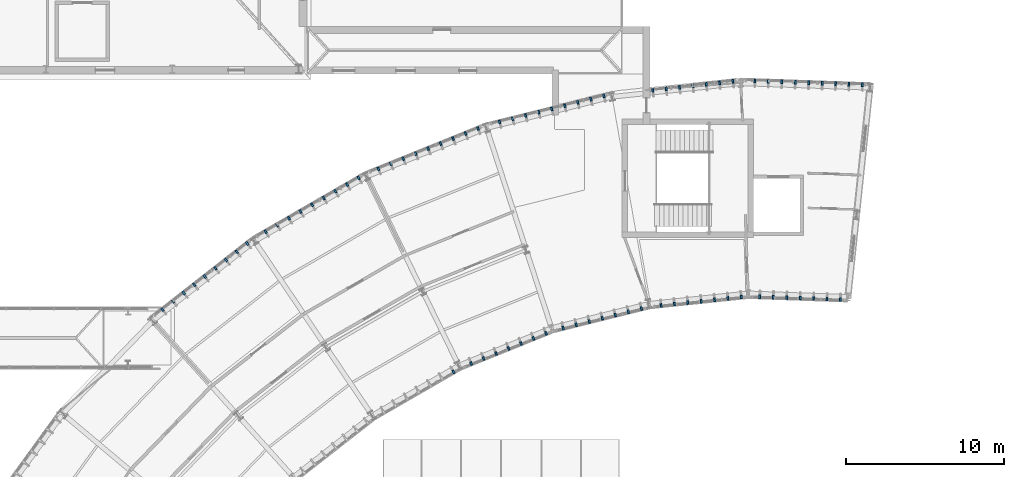
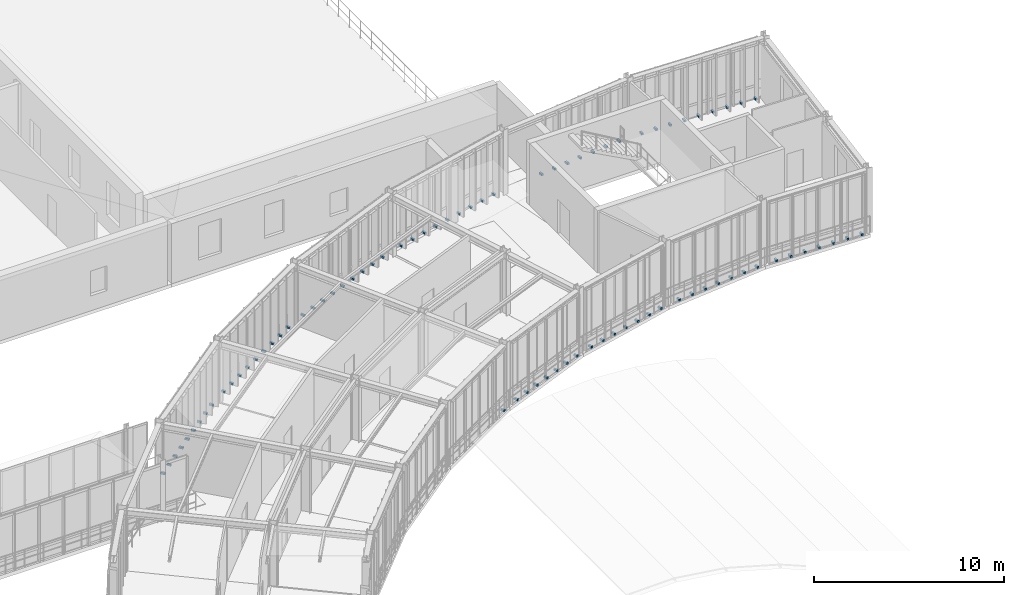
# One storey, part 48 of 57: 81 discrete accessories.
"""IFC4 building model written with IfcOpenShell, lengths in metres."""

from ifc_helpers import new_model, si_unit, direction, frame, origin, origin_2d, place, context, subcontext, project, spatial, rectangle, extrude, material, type_object, element, save


model = new_model("IFC4")

# Units and contexts
model_context = context("Model", 3, precision=1e-05, world=origin(), true_north=direction((0.0, 1.0)))
body_context = subcontext(model_context, "Body", "Model", "MODEL_VIEW")
ifc_project = project(units=[si_unit("LENGTHUNIT", "METRE"), si_unit("AREAUNIT", "SQUARE_METRE"), si_unit("VOLUMEUNIT", "CUBIC_METRE"), si_unit("PLANEANGLEUNIT", "RADIAN"), si_unit("MASSUNIT", "GRAM", prefix="KILO"), si_unit("THERMODYNAMICTEMPERATUREUNIT", "KELVIN"), si_unit("POWERUNIT", "WATT")], contexts=[model_context])

# Site, building, storey
site_placement = place(None, origin())
site = spatial("IfcSite", under=ifc_project, at=site_placement, CompositionType="ELEMENT")
building_placement = place(site_placement, origin())
building = spatial("IfcBuilding", under=site, at=building_placement, Name="Solvatero Civic Police Headquarters", CompositionType="ELEMENT")
storey_placement = place(building_placement, frame((0.0, 0.0, 9.300048828125)))
storey = spatial("IfcBuildingStorey", under=building, at=storey_placement, Name="L02", CompositionType="ELEMENT", Elevation=9.300048828125)

# Discrete accessories
ifc_material = material(Name="Steel S355", Category="steel")
discrete_accessory_type = type_object("IfcDiscreteAccessoryType", Name="ACC-BRK-FIN", PredefinedType="BRACKET", material=ifc_material)
for number, where, z_axis, x_axis, name in (
    (1, (99.647216796875, 84.525146484375, 0.0), (0.0, 0.0, 1.0), (-0.999390827019, 0.034899496703, 0.0), "Slab-Edge Fin Bracket 0367"),
    (2, (98.797607421875, 84.5546875, 0.0), (0.0, 0.0, 1.0), (-0.999390827019, 0.034899496703, 0.0), "Slab-Edge Fin Bracket 0368"),
    (3, (97.9482421875, 84.58447265625, 0.0), (0.0, 0.0, 1.0), (-0.999390827019, 0.034899496703, 0.0), "Slab-Edge Fin Bracket 0369"),
    (4, (97.0986328125, 84.614013671875, 0.0), (0.0, 0.0, 1.0), (-0.999390827019, 0.034899496703, 0.0), "Slab-Edge Fin Bracket 0370"),
    (5, (96.249267578125, 84.643798828125, 0.0), (0.0, 0.0, 1.0), (-0.999390827019, 0.034899496703, 0.0), "Slab-Edge Fin Bracket 0371"),
    (6, (95.39990234375, 84.67333984375, 0.0), (0.0, 0.0, 1.0), (-0.999390827019, 0.034899496703, 0.0), "Slab-Edge Fin Bracket 0372"),
    (7, (94.55029296875, 84.703125, 0.0), (0.0, 0.0, 1.0), (-0.999390827019, 0.034899496703, 0.0), "Slab-Edge Fin Bracket 0373"),
    (8, (93.70068359375, 84.73291015625, 0.0), (0.0, 0.0, 1.0), (-0.999390827019, 0.034899496703, 0.0), "Slab-Edge Fin Bracket 0374"),
    (9, (92.851318359375, 84.762451171875, 0.0), (0.0, 0.0, 1.0), (-0.999390827019, 0.034899496703, 0.0), "Slab-Edge Fin Bracket 0375"),
    (10, (98.255615234375, 70.93896484375, 0.0), (0.0, 0.0, 1.0), (-0.999390827019, 0.034899496703, 0.0), "Slab-Edge Fin Bracket 0376"),
    (11, (97.406005859375, 70.968505859375, 0.0), (0.0, 0.0, 1.0), (-0.999390827019, 0.034899496703, 0.0), "Slab-Edge Fin Bracket 0377"),
    (12, (96.556396484375, 70.998291015625, 0.0), (0.0, 0.0, 1.0), (-0.999390827019, 0.034899496703, 0.0), "Slab-Edge Fin Bracket 0378"),
    (13, (95.70703125, 71.02783203125, 0.0), (0.0, 0.0, 1.0), (-0.999390827019, 0.034899496703, 0.0), "Slab-Edge Fin Bracket 0379"),
    (14, (94.857421875, 71.0576171875, 0.0), (0.0, 0.0, 1.0), (-0.999390827019, 0.034899496703, 0.0), "Slab-Edge Fin Bracket 0380"),
    (15, (94.008056640625, 71.08740234375, 0.0), (0.0, 0.0, 1.0), (-0.999390827019, 0.034899496703, 0.0), "Slab-Edge Fin Bracket 0381"),
    (16, (93.15869140625, 71.116943359375, 0.0), (0.0, 0.0, 1.0), (-0.999390827019, 0.034899496703, 0.0), "Slab-Edge Fin Bracket 0382"),
    (17, (91.456787109375, 84.738037109375, 0.0), (0.0, 0.0, 1.0), (-0.993565927008, -0.113255236913, 0.0), "Slab-Edge Fin Bracket 0383"),
    (18, (90.6123046875, 84.641845703125, 0.0), (0.0, 0.0, 1.0), (-0.993565927008, -0.113255236913, 0.0), "Slab-Edge Fin Bracket 0384"),
    (19, (89.767822265625, 84.54541015625, 0.0), (0.0, 0.0, 1.0), (-0.993565927008, -0.113255236913, 0.0), "Slab-Edge Fin Bracket 0385"),
    (20, (88.92333984375, 84.44921875, 0.0), (0.0, 0.0, 1.0), (-0.993565927008, -0.113255236913, 0.0), "Slab-Edge Fin Bracket 0386"),
    (21, (88.07861328125, 84.352783203125, 0.0), (0.0, 0.0, 1.0), (-0.993565927008, -0.113255236913, 0.0), "Slab-Edge Fin Bracket 0387"),
    (22, (87.234130859375, 84.256591796875, 0.0), (0.0, 0.0, 1.0), (-0.993565927008, -0.113255236913, 0.0), "Slab-Edge Fin Bracket 0388"),
    (23, (86.3896484375, 84.160400390625, 0.0), (0.0, 0.0, 1.0), (-0.993565927008, -0.113255236913, 0.0), "Slab-Edge Fin Bracket 0389"),
    (24, (91.982666015625, 71.09619140625, 0.0), (0.0, 0.0, 1.0), (-0.994521895368, -0.104528463268, 0.0), "Slab-Edge Fin Bracket 0390"),
    (25, (91.13720703125, 71.00732421875, 0.0), (0.0, 0.0, 1.0), (-0.994521895368, -0.104528463268, 0.0), "Slab-Edge Fin Bracket 0391"),
    (26, (90.2919921875, 70.91845703125, 0.0), (0.0, 0.0, 1.0), (-0.994521895368, -0.104528463268, 0.0), "Slab-Edge Fin Bracket 0392"),
    (27, (89.446533203125, 70.82958984375, 0.0), (0.0, 0.0, 1.0), (-0.994521895368, -0.104528463268, 0.0), "Slab-Edge Fin Bracket 0393"),
    (28, (88.601318359375, 70.74072265625, 0.0), (0.0, 0.0, 1.0), (-0.994521895368, -0.104528463268, 0.0), "Slab-Edge Fin Bracket 0394"),
    (29, (87.755859375, 70.652099609375, 0.0), (0.0, 0.0, 1.0), (-0.994521895368, -0.104528463268, 0.0), "Slab-Edge Fin Bracket 0395"),
    (30, (86.910400390625, 70.56298828125, 0.0), (0.0, 0.0, 1.0), (-0.994521895368, -0.104528463268, 0.0), "Slab-Edge Fin Bracket 0396"),
    (31, (83.296630859375, 83.814453125, 0.0), (0.0, 0.0, 1.0), (-0.970295726276, -0.2419218956, 0.0), "Slab-Edge Fin Bracket 0397"),
    (32, (82.471923828125, 83.60888671875, 0.0), (0.0, 0.0, 1.0), (-0.970295726276, -0.2419218956, 0.0), "Slab-Edge Fin Bracket 0398"),
    (33, (81.647216796875, 83.4033203125, 0.0), (0.0, 0.0, 1.0), (-0.970295726276, -0.2419218956, 0.0), "Slab-Edge Fin Bracket 0399"),
    (34, (80.822509765625, 83.197509765625, 0.0), (0.0, 0.0, 1.0), (-0.970295726276, -0.2419218956, 0.0), "Slab-Edge Fin Bracket 0400"),
    (35, (79.99755859375, 82.991943359375, 0.0), (0.0, 0.0, 1.0), (-0.970295726276, -0.2419218956, 0.0), "Slab-Edge Fin Bracket 0401"),
    (36, (79.1728515625, 82.786376953125, 0.0), (0.0, 0.0, 1.0), (-0.970295726276, -0.2419218956, 0.0), "Slab-Edge Fin Bracket 0402"),
    (37, (78.34814453125, 82.580810546875, 0.0), (0.0, 0.0, 1.0), (-0.970295726276, -0.2419218956, 0.0), "Slab-Edge Fin Bracket 0403"),
    (38, (77.5234375, 82.375, 0.0), (0.0, 0.0, 1.0), (-0.970295726276, -0.2419218956, 0.0), "Slab-Edge Fin Bracket 0404"),
    (39, (76.698486328125, 82.16943359375, 0.0), (0.0, 0.0, 1.0), (-0.970295726276, -0.2419218956, 0.0), "Slab-Edge Fin Bracket 0405"),
    (40, (85.668701171875, 70.3623046875, 0.0), (0.0, 0.0, 1.0), (-0.970295726276, -0.2419218956, 0.0), "Slab-Edge Fin Bracket 0406"),
    (41, (84.843994140625, 70.15673828125, 0.0), (0.0, 0.0, 1.0), (-0.970295726276, -0.2419218956, 0.0), "Slab-Edge Fin Bracket 0407"),
    (42, (84.019287109375, 69.951171875, 0.0), (0.0, 0.0, 1.0), (-0.970295726276, -0.2419218956, 0.0), "Slab-Edge Fin Bracket 0408"),
    (43, (83.194580078125, 69.745361328125, 0.0), (0.0, 0.0, 1.0), (-0.970295726276, -0.2419218956, 0.0), "Slab-Edge Fin Bracket 0409"),
    (44, (82.369873046875, 69.539794921875, 0.0), (0.0, 0.0, 1.0), (-0.970295726276, -0.2419218956, 0.0), "Slab-Edge Fin Bracket 0410"),
    (45, (81.545166015625, 69.334228515625, 0.0), (0.0, 0.0, 1.0), (-0.970295726276, -0.2419218956, 0.0), "Slab-Edge Fin Bracket 0411"),
    (46, (80.72021484375, 69.128662109375, 0.0), (0.0, 0.0, 1.0), (-0.970295726276, -0.2419218956, 0.0), "Slab-Edge Fin Bracket 0412"),
    (47, (75.33154296875, 81.7529296875, 0.0), (0.0, 0.0, 1.0), (-0.927183854567, -0.374606593416, 0.0), "Slab-Edge Fin Bracket 0413"),
    (48, (74.54345703125, 81.4345703125, 0.0), (0.0, 0.0, 1.0), (-0.927183854567, -0.374606593416, 0.0), "Slab-Edge Fin Bracket 0414"),
    (49, (73.75537109375, 81.1162109375, 0.0), (0.0, 0.0, 1.0), (-0.927183854567, -0.374606593416, 0.0), "Slab-Edge Fin Bracket 0415"),
    (50, (72.96728515625, 80.797607421875, 0.0), (0.0, 0.0, 1.0), (-0.927183854567, -0.374606593416, 0.0), "Slab-Edge Fin Bracket 0416"),
    (51, (72.17919921875, 80.479248046875, 0.0), (0.0, 0.0, 1.0), (-0.927183854567, -0.374606593416, 0.0), "Slab-Edge Fin Bracket 0417"),
    (52, (71.39111328125, 80.160888671875, 0.0), (0.0, 0.0, 1.0), (-0.927183854567, -0.374606593416, 0.0), "Slab-Edge Fin Bracket 0418"),
    (53, (70.602783203125, 79.84228515625, 0.0), (0.0, 0.0, 1.0), (-0.927183854567, -0.374606593416, 0.0), "Slab-Edge Fin Bracket 0419"),
    (54, (69.814697265625, 79.52392578125, 0.0), (0.0, 0.0, 1.0), (-0.927183854567, -0.374606593416, 0.0), "Slab-Edge Fin Bracket 0420"),
    (55, (69.026611328125, 79.20556640625, 0.0), (0.0, 0.0, 1.0), (-0.927183854567, -0.374606593416, 0.0), "Slab-Edge Fin Bracket 0421"),
    (56, (79.630615234375, 68.793212890625, 0.0), (0.0, 0.0, 1.0), (-0.927183854567, -0.374606593416, 0.0), "Slab-Edge Fin Bracket 0422"),
    (57, (78.84228515625, 68.474853515625, 0.0), (0.0, 0.0, 1.0), (-0.927183854567, -0.374606593416, 0.0), "Slab-Edge Fin Bracket 0423"),
    (58, (78.05419921875, 68.156494140625, 0.0), (0.0, 0.0, 1.0), (-0.927183854567, -0.374606593416, 0.0), "Slab-Edge Fin Bracket 0424"),
    (59, (77.26611328125, 67.837890625, 0.0), (0.0, 0.0, 1.0), (-0.927183854567, -0.374606593416, 0.0), "Slab-Edge Fin Bracket 0425"),
    (60, (76.47802734375, 67.51953125, 0.0), (0.0, 0.0, 1.0), (-0.927183854567, -0.374606593416, 0.0), "Slab-Edge Fin Bracket 0426"),
    (61, (75.68994140625, 67.201171875, 0.0), (0.0, 0.0, 1.0), (-0.927183854567, -0.374606593416, 0.0), "Slab-Edge Fin Bracket 0427"),
    (62, (74.90185546875, 66.8828125, 0.0), (0.0, 0.0, 1.0), (-0.927183854567, -0.374606593416, 0.0), "Slab-Edge Fin Bracket 0428"),
    (63, (67.784912109375, 78.630126953125, 0.0), (0.0, 0.0, 1.0), (-0.866025403784, -0.5, 0.0), "Slab-Edge Fin Bracket 0429"),
    (64, (67.048828125, 78.205078125, 0.0), (0.0, 0.0, 1.0), (-0.866025403784, -0.5, 0.0), "Slab-Edge Fin Bracket 0430"),
    (65, (66.312744140625, 77.780029296875, 0.0), (0.0, 0.0, 1.0), (-0.866025403784, -0.5, 0.0), "Slab-Edge Fin Bracket 0431"),
    (66, (65.576416015625, 77.35498046875, 0.0), (0.0, 0.0, 1.0), (-0.866025403784, -0.5, 0.0), "Slab-Edge Fin Bracket 0432"),
    (67, (64.84033203125, 76.93017578125, 0.0), (0.0, 0.0, 1.0), (-0.866025403784, -0.5, 0.0), "Slab-Edge Fin Bracket 0433"),
    (68, (64.104248046875, 76.505126953125, 0.0), (0.0, 0.0, 1.0), (-0.866025403784, -0.5, 0.0), "Slab-Edge Fin Bracket 0434"),
    (69, (63.3681640625, 76.080078125, 0.0), (0.0, 0.0, 1.0), (-0.866025403784, -0.5, 0.0), "Slab-Edge Fin Bracket 0435"),
    (70, (62.632080078125, 75.655029296875, 0.0), (0.0, 0.0, 1.0), (-0.866025403784, -0.5, 0.0), "Slab-Edge Fin Bracket 0436"),
    (71, (61.89599609375, 75.22998046875, 0.0), (0.0, 0.0, 1.0), (-0.866025403784, -0.5, 0.0), "Slab-Edge Fin Bracket 0437"),
    (72, (73.785400390625, 66.360107421875, 0.0), (0.0, 0.0, 1.0), (-0.866025403784, -0.5, 0.0), "Slab-Edge Fin Bracket 0438"),
    (73, (60.733642578125, 74.483642578125, 0.0), (0.0, 0.0, 1.0), (-0.788021498807, -0.61564772185, 0.0), "Slab-Edge Fin Bracket 0445"),
    (74, (60.063720703125, 73.96044921875, 0.0), (0.0, 0.0, 1.0), (-0.788021498807, -0.61564772185, 0.0), "Slab-Edge Fin Bracket 0446"),
    (75, (59.39404296875, 73.43701171875, 0.0), (0.0, 0.0, 1.0), (-0.788021498807, -0.61564772185, 0.0), "Slab-Edge Fin Bracket 0447"),
    (76, (58.72412109375, 72.913818359375, 0.0), (0.0, 0.0, 1.0), (-0.788021498807, -0.61564772185, 0.0), "Slab-Edge Fin Bracket 0448"),
    (77, (58.05419921875, 72.390380859375, 0.0), (0.0, 0.0, 1.0), (-0.788021498807, -0.61564772185, 0.0), "Slab-Edge Fin Bracket 0449"),
    (78, (57.384521484375, 71.8671875, 0.0), (0.0, 0.0, 1.0), (-0.788021498807, -0.61564772185, 0.0), "Slab-Edge Fin Bracket 0450"),
    (79, (56.714599609375, 71.34375, 0.0), (0.0, 0.0, 1.0), (-0.788021498807, -0.61564772185, 0.0), "Slab-Edge Fin Bracket 0451"),
    (80, (56.044921875, 70.820556640625, 0.0), (0.0, 0.0, 1.0), (-0.788021498807, -0.61564772185, 0.0), "Slab-Edge Fin Bracket 0452"),
    (81, (55.375, 70.297119140625, 0.0), (0.0, 0.0, 1.0), (-0.788021498807, -0.61564772185, 0.0), "Slab-Edge Fin Bracket 0453"),
):
    element("IfcDiscreteAccessory", number, at=place(storey_placement, frame(where, z_axis=z_axis, x_axis=x_axis)), inside=storey, type_object=discrete_accessory_type, Name=name, PredefinedType="BRACKET", context=body_context, shape_type="SweptSolid", body=[
        extrude(rectangle(XDim=0.1201171875, YDim=0.239990234375, at=origin_2d()), origin(), (0.0, 0.0, 1.0), 0.1201171875),
    ])

save(model, "model.ifc")
